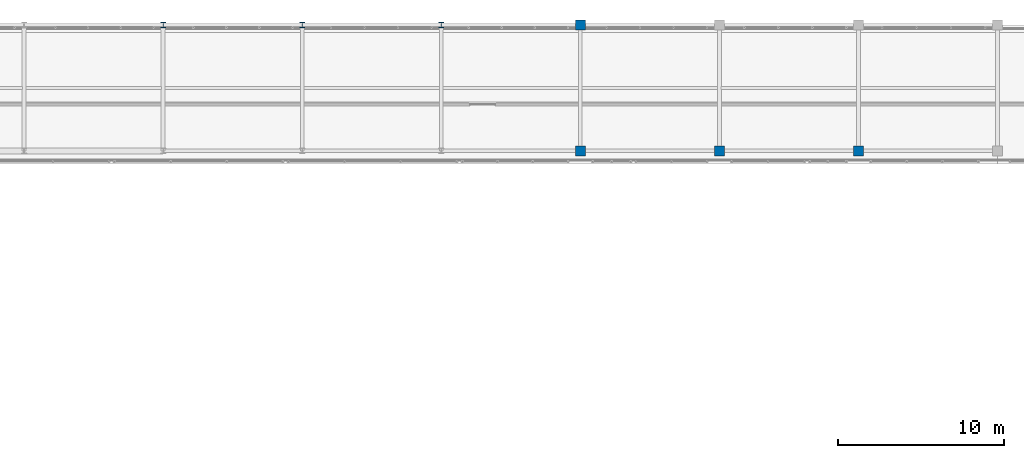
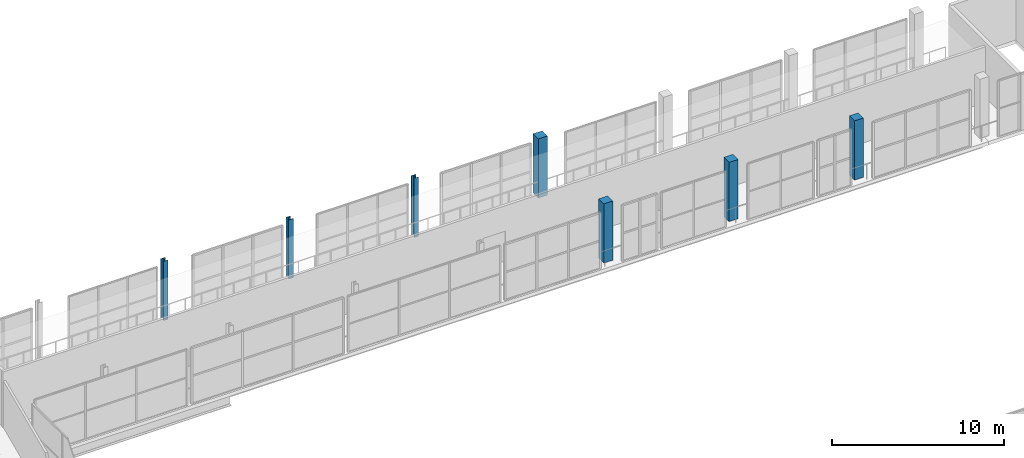
# One storey, part 7 of 151: 7 columns.
"""IFC4 building model written with IfcOpenShell, lengths in metres."""

from ifc_helpers import new_model, si_unit, direction, frame, origin, origin_2d, place, context, subcontext, project, spatial, rectangle, i_section, extrude, material, material_profile, profile_set, type_object, element, save


model = new_model("IFC4")

# Units and contexts
model_context = context("Model", 3, precision=1e-05, world=origin(), true_north=direction((0.0, 1.0)))
body_context = subcontext(model_context, "Body", "Model", "MODEL_VIEW")
ifc_project = project(units=[si_unit("LENGTHUNIT", "METRE"), si_unit("AREAUNIT", "SQUARE_METRE"), si_unit("VOLUMEUNIT", "CUBIC_METRE"), si_unit("PLANEANGLEUNIT", "RADIAN"), si_unit("MASSUNIT", "GRAM", prefix="KILO")], contexts=[model_context])

# Site, building, storey
site_placement = place(None, origin())
site = spatial("IfcSite", under=ifc_project, at=site_placement, CompositionType="ELEMENT")
building_placement = place(site_placement, origin())
building = spatial("IfcBuilding", under=site, at=building_placement, Name="Zuvorla Pavilion Media Centre", CompositionType="ELEMENT")
storey_placement = place(building_placement, frame((0.0, 0.0, 13.800048828125)))
storey = spatial("IfcBuildingStorey", under=building, at=storey_placement, Name="L03", CompositionType="ELEMENT", Elevation=13.800048828125)

# Columns
ifc_material_1 = material(Name="Concrete C40/50", Category="concrete")
ifc_material_profile_1 = material_profile(ifc_material_1, rectangle(XDim=0.60009765625, YDim=0.60009765625, at=origin_2d()), Name="RC 600x600")
ifc_profile_set_1 = profile_set([ifc_material_profile_1], Name="Concrete C40/50")
column_type_1 = type_object("IfcColumnType", Name="COL-RC600", PredefinedType="COLUMN", material=ifc_profile_set_1)
for number, where, z_axis, x_axis, name in (
    (1, (66.800048828125, 82.0, 0.0), (0.0, 0.0, 1.0), (1.0, 0.0, 0.0), "L03 column C03 776"),
    (2, (75.199951171875, 82.0, 0.0), (0.0, 0.0, 1.0), (1.0, 0.0, 0.0), "L03 column C03 781"),
    (3, (83.60009765625, 82.0, 0.0), (0.0, 0.0, 1.0), (1.0, 0.0, 0.0), "L03 column C03 786"),
    (4, (66.800048828125, 89.60009765625, 0.0), (0.0, 0.0, 1.0), (1.0, 0.0, 0.0), "L03 column C03 868"),
):
    element("IfcColumn", number, at=place(storey_placement, frame(where, z_axis=z_axis, x_axis=x_axis)), inside=storey, type_object=column_type_1, Name=name, PredefinedType="COLUMN", context=body_context, shape_type="SweptSolid", body=[
        extrude(rectangle(XDim=0.60009765625, YDim=0.60009765625, at=origin_2d()), origin(), (0.0, 0.0, 1.0), 4.199951171875),
    ])
ifc_material_2 = material(Name="Steel S355", Category="steel")
ifc_material_profile_2 = material_profile(ifc_material_2, i_section(OverallWidth=0.30908203125, OverallDepth=0.320556640625, WebThickness=0.013916015625, FlangeThickness=0.021728515625, FilletRadius=0.01513671875, at=origin_2d()), Name="UC 305x305x137")
ifc_profile_set_2 = profile_set([ifc_material_profile_2], Name="Steel S355")
column_type_2 = type_object("IfcColumnType", Name="COL-UC305", PredefinedType="COLUMN", material=ifc_profile_set_2)
for number, where, z_axis, x_axis, name in (
    (5, (41.60009765625, 89.60009765625, 0.0), (0.0, 0.0, 1.0), (1.0, 0.0, 0.0), "L03 column C10 853"),
    (6, (50.0, 89.60009765625, 0.0), (0.0, 0.0, 1.0), (1.0, 0.0, 0.0), "L03 column C10 858"),
    (7, (58.39990234375, 89.60009765625, 0.0), (0.0, 0.0, 1.0), (1.0, 0.0, 0.0), "L03 column C10 863"),
):
    element("IfcColumn", number, at=place(storey_placement, frame(where, z_axis=z_axis, x_axis=x_axis)), inside=storey, type_object=column_type_2, Name=name, PredefinedType="COLUMN", context=body_context, shape_type="SweptSolid", body=[
        extrude(i_section(OverallWidth=0.30908203125, OverallDepth=0.320556640625, WebThickness=0.013916015625, FlangeThickness=0.021728515625, FilletRadius=0.01513671875, at=origin_2d()), origin(), (0.0, 0.0, 1.0), 4.199951171875),
    ])

save(model, "model.ifc")
